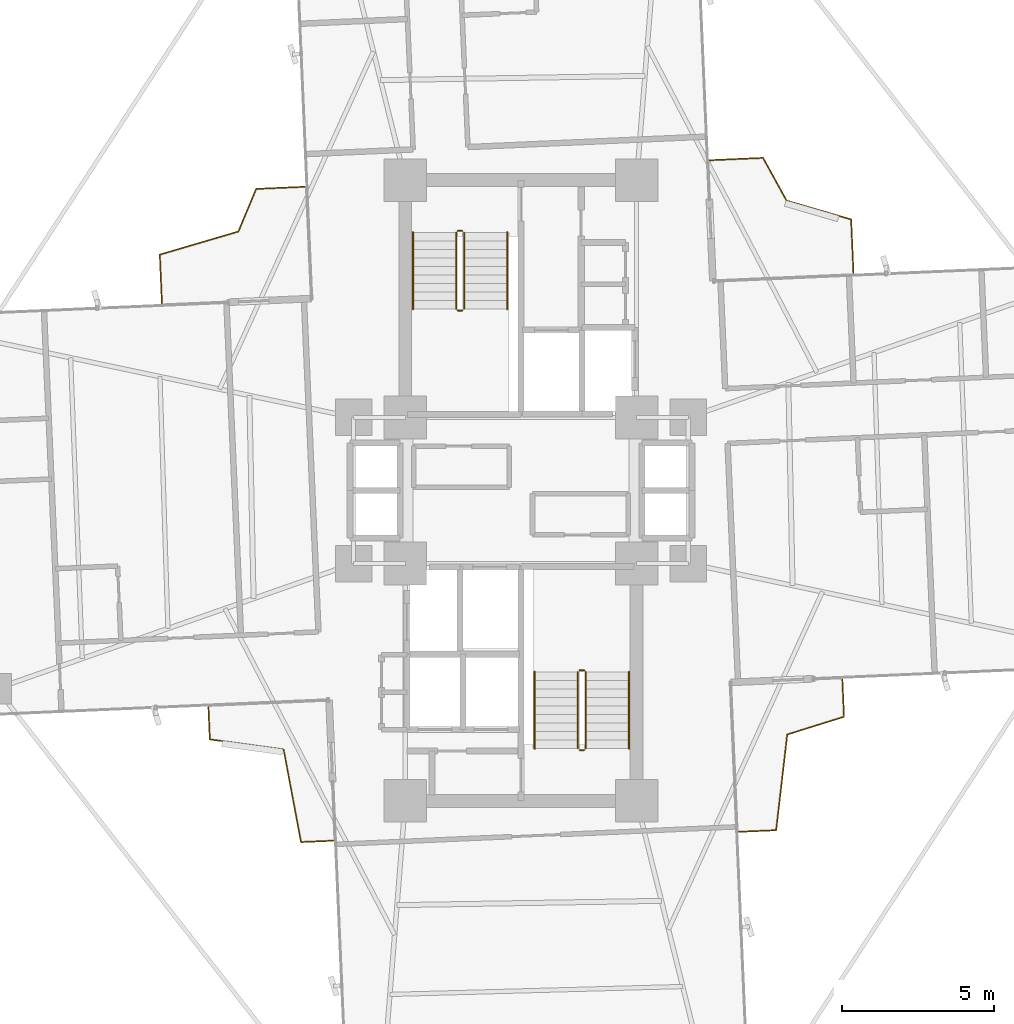
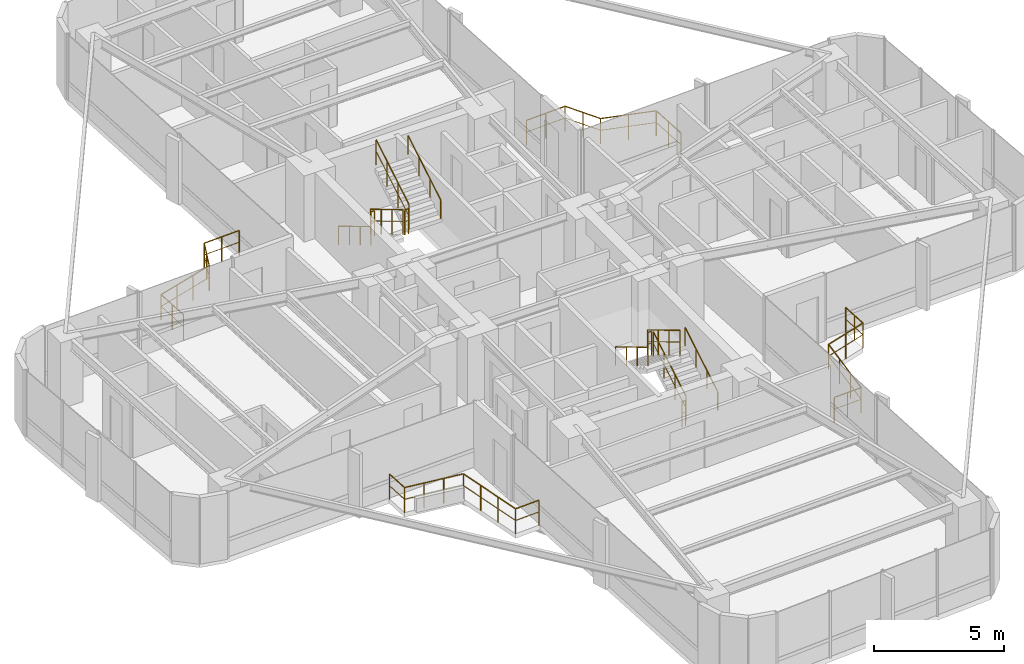
# One storey, part 26 of 26: 16 railings.
"""IFC4 building model written with IfcOpenShell, lengths in metres."""

from ifc_helpers import new_model, si_unit, direction, frame, origin, origin_2d, place, context, subcontext, project, spatial, circle, extrude, material, type_object, element, save


model = new_model("IFC4")

# Units and contexts
model_context = context("Model", 3, precision=1e-05, world=origin(), true_north=direction((0.0, 1.0)))
body_context = subcontext(model_context, "Body", "Model", "MODEL_VIEW")
ifc_project = project(units=[si_unit("LENGTHUNIT", "METRE"), si_unit("AREAUNIT", "SQUARE_METRE"), si_unit("VOLUMEUNIT", "CUBIC_METRE"), si_unit("PLANEANGLEUNIT", "RADIAN"), si_unit("MASSUNIT", "GRAM", prefix="KILO")], contexts=[model_context])

# Site, building, storey
site_placement = place(None, origin())
site = spatial("IfcSite", under=ifc_project, at=site_placement, CompositionType="ELEMENT")
building_placement = place(site_placement, origin())
building = spatial("IfcBuilding", under=site, at=building_placement, Name="Sahyath Konkavel Grand Hotel", CompositionType="ELEMENT")
storey_placement = place(building_placement, frame((0.0, 0.0, 131.550048828125)))
storey = spatial("IfcBuildingStorey", under=building, at=storey_placement, Name="L36", CompositionType="ELEMENT", Elevation=131.550048828125)

# Railings
ifc_material_1 = material(Name="Anodised Bronze Aluminium", Category="aluminium")
railing_type_1 = type_object("IfcRailingType", Name="RLG-BALC-1200", PredefinedType="GUARDRAIL", material=ifc_material_1)
railing_1_placement = place(storey_placement, frame((10.9267578125, 7.143310546875, 0.0)))
element("IfcRailing", 1, at=railing_1_placement, inside=storey, type_object=railing_type_1, Name="L36 Winter-Garden Guard NE", PredefinedType="GUARDRAIL", context=body_context, shape_type="SweptSolid", body=[
    extrude(circle(Radius=0.02392578125, at=origin_2d()), frame((0.0, 0.001953125, 1.17578125), z_axis=(-0.043545206746, 0.999051457618, 0.0), x_axis=(-0.999051457618, -0.043545206746, 0.0)), (0.0, 0.0, 1.0), 1.761962890625),
    extrude(circle(Radius=0.01416015625, at=origin_2d()), frame((0.0, 0.001953125, 0.6240234375), z_axis=(-0.043545206746, 0.999051457618, 0.0), x_axis=(-0.999051457618, -0.043545206746, 0.0)), (0.0, 0.0, 1.0), 1.761962890625),
    extrude(circle(Radius=0.02392578125, at=origin_2d()), frame((-0.078857421875, 1.764892578125, 1.17578125), z_axis=(-0.960059385382, 0.279796312591, 0.0), x_axis=(-0.279796312591, -0.960059385382, 0.0)), (0.0, 0.0, 1.0), 2.205322265625),
    extrude(circle(Radius=0.01416015625, at=origin_2d()), frame((-0.078857421875, 1.764892578125, 0.6240234375), z_axis=(-0.960059385382, 0.279796312591, 0.0), x_axis=(-0.279796312591, -0.960059385382, 0.0)), (0.0, 0.0, 1.0), 2.205322265625),
    extrude(circle(Radius=0.02392578125, at=origin_2d()), frame((-2.198974609375, 2.38427734375, 1.17578125), z_axis=(-0.481924600484, 0.87621269076, 0.0), x_axis=(-0.87621269076, -0.481924600484, 0.0)), (0.0, 0.0, 1.0), 1.597900390625),
    extrude(circle(Radius=0.01416015625, at=origin_2d()), frame((-2.198974609375, 2.38427734375, 0.6240234375), z_axis=(-0.481924600484, 0.87621269076, 0.0), x_axis=(-0.87621269076, -0.481924600484, 0.0)), (0.0, 0.0, 1.0), 1.597900390625),
    extrude(circle(Radius=0.02392578125, at=origin_2d()), frame((-2.971923828125, 3.7861328125, 1.17578125), z_axis=(-0.999045434202, -0.043683182124, 0.0), x_axis=(0.043683182124, -0.999045434202, 0.0)), (0.0, 0.0, 1.0), 1.76220703125),
    extrude(circle(Radius=0.01416015625, at=origin_2d()), frame((-2.971923828125, 3.7861328125, 0.6240234375), z_axis=(-0.999045434202, -0.043683182124, 0.0), x_axis=(0.043683182124, -0.999045434202, 0.0)), (0.0, 0.0, 1.0), 1.76220703125),
    extrude(circle(Radius=0.02099609375, at=origin_2d()), origin(), (0.0, 0.0, 1.0), 1.15185546875),
    extrude(circle(Radius=0.02099609375, at=origin_2d()), frame((-0.03857421875, 0.88232421875, 0.0)), (0.0, 0.0, 1.0), 1.15185546875),
    extrude(circle(Radius=0.02099609375, at=origin_2d()), frame((-0.076904296875, 1.764404296875, 0.0)), (0.0, 0.0, 1.0), 1.15185546875),
    extrude(circle(Radius=0.02099609375, at=origin_2d()), frame((-1.137451171875, 2.073486328125, 0.0)), (0.0, 0.0, 1.0), 1.15185546875),
    extrude(circle(Radius=0.02099609375, at=origin_2d()), frame((-2.197998046875, 2.382568359375, 0.0)), (0.0, 0.0, 1.0), 1.15185546875),
    extrude(circle(Radius=0.02099609375, at=origin_2d()), frame((-2.583984375, 3.08447265625, 0.0)), (0.0, 0.0, 1.0), 1.15185546875),
    extrude(circle(Radius=0.02099609375, at=origin_2d()), frame((-2.969970703125, 3.7861328125, 0.0)), (0.0, 0.0, 1.0), 1.15185546875),
    extrude(circle(Radius=0.02099609375, at=origin_2d()), frame((-3.85205078125, 3.74755859375, 0.0)), (0.0, 0.0, 1.0), 1.15185546875),
    extrude(circle(Radius=0.02099609375, at=origin_2d()), frame((-4.734375, 3.708984375, 0.0)), (0.0, 0.0, 1.0), 1.15185546875),
])
railing_2_placement = place(storey_placement, frame((-7.10205078125, 9.980712890625, 0.0)))
element("IfcRailing", 2, at=railing_2_placement, inside=storey, type_object=railing_type_1, Name="L36 Winter-Garden Guard NW", PredefinedType="GUARDRAIL", context=body_context, shape_type="SweptSolid", body=[
    extrude(circle(Radius=0.02392578125, at=origin_2d()), frame((-0.001953125, 0.0, 1.17578125), z_axis=(-0.999048663393, -0.043609267053, 0.0), x_axis=(0.043609267053, -0.999048663393, 0.0)), (0.0, 0.0, 1.0), 1.59716796875),
    extrude(circle(Radius=0.01416015625, at=origin_2d()), frame((-0.001953125, 0.0, 0.6240234375), z_axis=(-0.999048663393, -0.043609267053, 0.0), x_axis=(0.043609267053, -0.999048663393, 0.0)), (0.0, 0.0, 1.0), 1.59716796875),
    extrude(circle(Radius=0.02392578125, at=origin_2d()), frame((-1.600341796875, -0.07177734375, 1.17578125), z_axis=(-0.385597090299, -0.922667266111, 0.0), x_axis=(0.922667266111, -0.385597090299, 0.0)), (0.0, 0.0, 1.0), 1.514404296875),
    extrude(circle(Radius=0.01416015625, at=origin_2d()), frame((-1.600341796875, -0.07177734375, 0.6240234375), z_axis=(-0.385597090299, -0.922667266111, 0.0), x_axis=(0.922667266111, -0.385597090299, 0.0)), (0.0, 0.0, 1.0), 1.514404296875),
    extrude(circle(Radius=0.02392578125, at=origin_2d()), frame((-2.18701171875, -1.47119140625, 1.17578125), z_axis=(-0.959358277004, -0.28219088636, 0.0), x_axis=(0.28219088636, -0.959358277004, 0.0)), (0.0, 0.0, 1.0), 2.686767578125),
    extrude(circle(Radius=0.01416015625, at=origin_2d()), frame((-2.18701171875, -1.47119140625, 0.6240234375), z_axis=(-0.959358277004, -0.28219088636, 0.0), x_axis=(0.28219088636, -0.959358277004, 0.0)), (0.0, 0.0, 1.0), 2.686767578125),
    extrude(circle(Radius=0.02392578125, at=origin_2d()), frame((-4.766357421875, -2.23193359375, 1.17578125), z_axis=(0.043609267053, -0.999048663393, 0.0), x_axis=(0.999048663393, 0.043609267053, 0.0)), (0.0, 0.0, 1.0), 1.59716796875),
    extrude(circle(Radius=0.01416015625, at=origin_2d()), frame((-4.766357421875, -2.23193359375, 0.6240234375), z_axis=(0.043609267053, -0.999048663393, 0.0), x_axis=(0.999048663393, 0.043609267053, 0.0)), (0.0, 0.0, 1.0), 1.59716796875),
    extrude(circle(Radius=0.02099609375, at=origin_2d()), origin(), (0.0, 0.0, 1.0), 1.15185546875),
    extrude(circle(Radius=0.02099609375, at=origin_2d()), frame((-0.7998046875, -0.034912109375, 0.0)), (0.0, 0.0, 1.0), 1.15185546875),
    extrude(circle(Radius=0.02099609375, at=origin_2d()), frame((-1.599609375, -0.06982421875, 0.0)), (0.0, 0.0, 1.0), 1.15185546875),
    extrude(circle(Radius=0.02099609375, at=origin_2d()), frame((-1.892333984375, -0.770263671875, 0.0)), (0.0, 0.0, 1.0), 1.15185546875),
    extrude(circle(Radius=0.02099609375, at=origin_2d()), frame((-2.18505859375, -1.470703125, 0.0)), (0.0, 0.0, 1.0), 1.15185546875),
    extrude(circle(Radius=0.02099609375, at=origin_2d()), frame((-3.04541015625, -1.723876953125, 0.0)), (0.0, 0.0, 1.0), 1.15185546875),
    extrude(circle(Radius=0.02099609375, at=origin_2d()), frame((-3.906005859375, -1.976806640625, 0.0)), (0.0, 0.0, 1.0), 1.15185546875),
    extrude(circle(Radius=0.02099609375, at=origin_2d()), frame((-4.766357421875, -2.22998046875, 0.0)), (0.0, 0.0, 1.0), 1.15185546875),
    extrude(circle(Radius=0.02099609375, at=origin_2d()), frame((-4.7314453125, -3.02978515625, 0.0)), (0.0, 0.0, 1.0), 1.15185546875),
    extrude(circle(Radius=0.02099609375, at=origin_2d()), frame((-4.696533203125, -3.82958984375, 0.0)), (0.0, 0.0, 1.0), 1.15185546875),
])
railing_3_placement = place(storey_placement, frame((-10.271484375, -7.11474609375, 0.0)))
element("IfcRailing", 3, at=railing_3_placement, inside=storey, type_object=railing_type_1, Name="L36 Winter-Garden Guard SW", PredefinedType="GUARDRAIL", context=body_context, shape_type="SweptSolid", body=[
    extrude(circle(Radius=0.02392578125, at=origin_2d()), frame((0.0, -0.001953125, 1.17578125), z_axis=(0.043735329399, -0.999043152703, 0.0), x_axis=(0.999043152703, 0.043735329399, 0.0)), (0.0, 0.0, 1.0), 1.062255859375),
    extrude(circle(Radius=0.01416015625, at=origin_2d()), frame((0.0, -0.001953125, 0.6240234375), z_axis=(0.043735329399, -0.999043152703, 0.0), x_axis=(0.999043152703, 0.043735329399, 0.0)), (0.0, 0.0, 1.0), 1.062255859375),
    extrude(circle(Radius=0.02392578125, at=origin_2d()), frame((0.048583984375, -1.0654296875, 1.17578125), z_axis=(0.990741331019, -0.135763084124, 0.0), x_axis=(0.135763084124, 0.990741331019, 0.0)), (0.0, 0.0, 1.0), 2.443359375),
    extrude(circle(Radius=0.01416015625, at=origin_2d()), frame((0.048583984375, -1.0654296875, 0.6240234375), z_axis=(0.990741331019, -0.135763084124, 0.0), x_axis=(0.135763084124, 0.990741331019, 0.0)), (0.0, 0.0, 1.0), 2.443359375),
    extrude(circle(Radius=0.02392578125, at=origin_2d()), frame((2.471923828125, -1.3994140625, 1.17578125), z_axis=(0.184498081225, -0.982832873903, 0.0), x_axis=(0.982832873903, 0.184498081225, 0.0)), (0.0, 0.0, 1.0), 3.091064453125),
    extrude(circle(Radius=0.01416015625, at=origin_2d()), frame((2.471923828125, -1.3994140625, 0.6240234375), z_axis=(0.184498081225, -0.982832873903, 0.0), x_axis=(0.982832873903, 0.184498081225, 0.0)), (0.0, 0.0, 1.0), 3.091064453125),
    extrude(circle(Radius=0.02392578125, at=origin_2d()), frame((3.04443359375, -4.439453125, 1.17578125), z_axis=(0.999053131629, 0.043506783179, 0.0), x_axis=(-0.043506783179, 0.999053131629, 0.0)), (0.0, 0.0, 1.0), 1.062255859375),
    extrude(circle(Radius=0.01416015625, at=origin_2d()), frame((3.04443359375, -4.439453125, 0.6240234375), z_axis=(0.999053131629, 0.043506783179, 0.0), x_axis=(-0.043506783179, 0.999053131629, 0.0)), (0.0, 0.0, 1.0), 1.062255859375),
    extrude(circle(Radius=0.02099609375, at=origin_2d()), origin(), (0.0, 0.0, 1.0), 1.15185546875),
    extrude(circle(Radius=0.02099609375, at=origin_2d()), frame((0.046630859375, -1.065185546875, 0.0)), (0.0, 0.0, 1.0), 1.15185546875),
    extrude(circle(Radius=0.02099609375, at=origin_2d()), frame((0.85498046875, -1.176025390625, 0.0)), (0.0, 0.0, 1.0), 1.15185546875),
    extrude(circle(Radius=0.02099609375, at=origin_2d()), frame((1.6630859375, -1.28662109375, 0.0)), (0.0, 0.0, 1.0), 1.15185546875),
    extrude(circle(Radius=0.02099609375, at=origin_2d()), frame((2.471435546875, -1.3974609375, 0.0)), (0.0, 0.0, 1.0), 1.15185546875),
    extrude(circle(Radius=0.02099609375, at=origin_2d()), frame((2.661865234375, -2.411376953125, 0.0)), (0.0, 0.0, 1.0), 1.15185546875),
    extrude(circle(Radius=0.02099609375, at=origin_2d()), frame((2.85205078125, -3.425537109375, 0.0)), (0.0, 0.0, 1.0), 1.15185546875),
    extrude(circle(Radius=0.02099609375, at=origin_2d()), frame((3.04248046875, -4.439453125, 0.0)), (0.0, 0.0, 1.0), 1.15185546875),
    extrude(circle(Radius=0.02099609375, at=origin_2d()), frame((4.107666015625, -4.39306640625, 0.0)), (0.0, 0.0, 1.0), 1.15185546875),
])
railing_4_placement = place(storey_placement, frame((7.156005859375, -11.217529296875, 0.0)))
element("IfcRailing", 4, at=railing_4_placement, inside=storey, type_object=railing_type_1, Name="L36 Winter-Garden Guard SE", PredefinedType="GUARDRAIL", context=body_context, shape_type="SweptSolid", body=[
    extrude(circle(Radius=0.02392578125, at=origin_2d()), frame((0.001953125, 0.0, 1.17578125), z_axis=(0.999047908993, 0.043626546244, 0.0), x_axis=(-0.043626546244, 0.999047908993, 0.0)), (0.0, 0.0, 1.0), 1.22705078125),
    extrude(circle(Radius=0.01416015625, at=origin_2d()), frame((0.001953125, 0.0, 0.6240234375), z_axis=(0.999047908993, 0.043626546244, 0.0), x_axis=(-0.043626546244, 0.999047908993, 0.0)), (0.0, 0.0, 1.0), 1.22705078125),
    extrude(circle(Radius=0.02392578125, at=origin_2d()), frame((1.230224609375, 0.0556640625, 1.17578125), z_axis=(0.115355772629, 0.993324239975, 0.0), x_axis=(-0.993324239975, 0.115355772629, 0.0)), (0.0, 0.0, 1.0), 3.162109375),
    extrude(circle(Radius=0.01416015625, at=origin_2d()), frame((1.230224609375, 0.0556640625, 0.6240234375), z_axis=(0.115355772629, 0.993324239975, 0.0), x_axis=(-0.993324239975, 0.115355772629, 0.0)), (0.0, 0.0, 1.0), 3.162109375),
    extrude(circle(Radius=0.02392578125, at=origin_2d()), frame((1.59716796875, 3.19921875, 1.17578125), z_axis=(0.954310819176, 0.298815763312, 0.0), x_axis=(-0.298815763312, 0.954310819176, 0.0)), (0.0, 0.0, 1.0), 1.949462890625),
    extrude(circle(Radius=0.01416015625, at=origin_2d()), frame((1.59716796875, 3.19921875, 0.6240234375), z_axis=(0.954310819176, 0.298815763312, 0.0), x_axis=(-0.298815763312, 0.954310819176, 0.0)), (0.0, 0.0, 1.0), 1.949462890625),
    extrude(circle(Radius=0.02392578125, at=origin_2d()), frame((3.45947265625, 3.784423828125, 1.17578125), z_axis=(-0.043626546244, 0.999047908993, 0.0), x_axis=(-0.999047908993, -0.043626546244, 0.0)), (0.0, 0.0, 1.0), 1.22705078125),
    extrude(circle(Radius=0.01416015625, at=origin_2d()), frame((3.45947265625, 3.784423828125, 0.6240234375), z_axis=(-0.043626546244, 0.999047908993, 0.0), x_axis=(-0.999047908993, -0.043626546244, 0.0)), (0.0, 0.0, 1.0), 1.22705078125),
    extrude(circle(Radius=0.02099609375, at=origin_2d()), origin(), (0.0, 0.0, 1.0), 1.15185546875),
    extrude(circle(Radius=0.02099609375, at=origin_2d()), frame((0.614990234375, 0.02685546875, 0.0)), (0.0, 0.0, 1.0), 1.15185546875),
    extrude(circle(Radius=0.02099609375, at=origin_2d()), frame((1.22998046875, 0.0537109375, 0.0)), (0.0, 0.0, 1.0), 1.15185546875),
    extrude(circle(Radius=0.02099609375, at=origin_2d()), frame((1.351806640625, 1.10205078125, 0.0)), (0.0, 0.0, 1.0), 1.15185546875),
    extrude(circle(Radius=0.02099609375, at=origin_2d()), frame((1.473388671875, 2.150390625, 0.0)), (0.0, 0.0, 1.0), 1.15185546875),
    extrude(circle(Radius=0.02099609375, at=origin_2d()), frame((1.59521484375, 3.19873046875, 0.0)), (0.0, 0.0, 1.0), 1.15185546875),
    extrude(circle(Radius=0.02099609375, at=origin_2d()), frame((2.52734375, 3.49072265625, 0.0)), (0.0, 0.0, 1.0), 1.15185546875),
    extrude(circle(Radius=0.02099609375, at=origin_2d()), frame((3.45947265625, 3.782470703125, 0.0)), (0.0, 0.0, 1.0), 1.15185546875),
    extrude(circle(Radius=0.02099609375, at=origin_2d()), frame((3.4326171875, 4.3974609375, 0.0)), (0.0, 0.0, 1.0), 1.15185546875),
    extrude(circle(Radius=0.02099609375, at=origin_2d()), frame((3.40576171875, 5.012451171875, 0.0)), (0.0, 0.0, 1.0), 1.15185546875),
])
ifc_material_2 = material(Name="Steel E350", Category="steel")
railing_type_2 = type_object("IfcRailingType", Name="RLG-STAIR-GRD", PredefinedType="GUARDRAIL", material=ifc_material_2)
railing_5_placement = place(storey_placement, frame((-2.1298828125, 8.47998046875, 0.16748046875)))
element("IfcRailing", 5, at=railing_5_placement, inside=storey, type_object=railing_type_2, Name="L36 ST-1 stair guard 1", PredefinedType="GUARDRAIL", context=body_context, shape_type="SweptSolid", body=[
    extrude(circle(Radius=0.02392578125, at=origin_2d()), frame((0.0, -0.001708984375, 1.177001953125), z_axis=(0.0, -0.858159760407, 0.513382728203), x_axis=(1.0, 0.0, 0.0)), (0.0, 0.0, 1.0), 2.9326171875),
    extrude(circle(Radius=0.01416015625, at=origin_2d()), frame((0.0, -0.001708984375, 0.625), z_axis=(0.0, -0.858159760407, 0.513382728203), x_axis=(1.0, 0.0, 0.0)), (0.0, 0.0, 1.0), 2.9326171875),
    extrude(circle(Radius=0.02099609375, at=origin_2d()), origin(), (0.0, 0.0, 1.0), 1.15185546875),
    extrude(circle(Radius=0.02099609375, at=origin_2d()), frame((0.0, -0.840087890625, 0.50244140625)), (0.0, 0.0, 1.0), 1.15185546875),
    extrude(circle(Radius=0.02099609375, at=origin_2d()), frame((0.0, -1.679931640625, 1.005126953125)), (0.0, 0.0, 1.0), 1.15185546875),
    extrude(circle(Radius=0.02099609375, at=origin_2d()), frame((0.0, -2.52001953125, 1.507568359375)), (0.0, 0.0, 1.0), 1.15185546875),
])
railing_6_placement = place(storey_placement, frame((-2.080078125, 5.909912109375, 1.675048828125)))
element("IfcRailing", 6, at=railing_6_placement, inside=storey, type_object=railing_type_2, Name="L36 ST-1 stair guard 2", PredefinedType="GUARDRAIL", context=body_context, shape_type="SweptSolid", body=[
    extrude(circle(Radius=0.02392578125, at=origin_2d()), frame((0.001953125, 0.0, 1.17578125), z_axis=(1.0, 0.0, 0.0), x_axis=(0.0, 1.0, 0.0)), (0.0, 0.0, 1.0), 0.15625),
    extrude(circle(Radius=0.01416015625, at=origin_2d()), frame((0.001953125, 0.0, 0.6240234375), z_axis=(1.0, 0.0, 0.0), x_axis=(0.0, 1.0, 0.0)), (0.0, 0.0, 1.0), 0.15625),
    extrude(circle(Radius=0.02099609375, at=origin_2d()), origin(), (0.0, 0.0, 1.0), 1.15185546875),
    extrude(circle(Radius=0.02099609375, at=origin_2d()), frame((0.16015625, 0.0, 0.0)), (0.0, 0.0, 1.0), 1.15185546875),
])
railing_7_placement = place(storey_placement, frame((-1.8701171875, 5.9599609375, 1.842529296875)))
element("IfcRailing", 7, at=railing_7_placement, inside=storey, type_object=railing_type_2, Name="L36 ST-1 stair guard 3", PredefinedType="GUARDRAIL", context=body_context, shape_type="SweptSolid", body=[
    extrude(circle(Radius=0.02392578125, at=origin_2d()), frame((0.0, 0.001708984375, 1.177001953125), z_axis=(0.0, 0.858196387827, 0.513321497621), x_axis=(-1.0, 0.0, 0.0)), (0.0, 0.0, 1.0), 2.932373046875),
    extrude(circle(Radius=0.01416015625, at=origin_2d()), frame((0.0, 0.001708984375, 0.625), z_axis=(0.0, 0.858196387827, 0.513321497621), x_axis=(-1.0, 0.0, 0.0)), (0.0, 0.0, 1.0), 2.932373046875),
    extrude(circle(Radius=0.02099609375, at=origin_2d()), origin(), (0.0, 0.0, 1.0), 1.15185546875),
    extrude(circle(Radius=0.02099609375, at=origin_2d()), frame((0.0, 0.840087890625, 0.50244140625)), (0.0, 0.0, 1.0), 1.15185546875),
    extrude(circle(Radius=0.02099609375, at=origin_2d()), frame((0.0, 1.679931640625, 1.0048828125)), (0.0, 0.0, 1.0), 1.15185546875),
    extrude(circle(Radius=0.02099609375, at=origin_2d()), frame((0.0, 2.52001953125, 1.50732421875)), (0.0, 0.0, 1.0), 1.15185546875),
])
railing_8_placement = place(storey_placement, frame((-2.080078125, 8.530029296875, 0.0)))
element("IfcRailing", 8, at=railing_8_placement, inside=storey, type_object=railing_type_2, Name="L36 ST-1 stair guard 4", PredefinedType="GUARDRAIL", context=body_context, shape_type="SweptSolid", body=[
    extrude(circle(Radius=0.02392578125, at=origin_2d()), frame((0.001953125, 0.0, 1.17578125), z_axis=(1.0, 0.0, 0.0), x_axis=(0.0, 1.0, 0.0)), (0.0, 0.0, 1.0), 0.15625),
    extrude(circle(Radius=0.01416015625, at=origin_2d()), frame((0.001953125, 0.0, 0.6240234375), z_axis=(1.0, 0.0, 0.0), x_axis=(0.0, 1.0, 0.0)), (0.0, 0.0, 1.0), 0.15625),
    extrude(circle(Radius=0.02099609375, at=origin_2d()), origin(), (0.0, 0.0, 1.0), 1.15185546875),
    extrude(circle(Radius=0.02099609375, at=origin_2d()), frame((0.16015625, 0.0, 0.0)), (0.0, 0.0, 1.0), 1.15185546875),
])
railing_9_placement = place(storey_placement, frame((2.1298828125, -8.47998046875, 0.16748046875)))
element("IfcRailing", 9, at=railing_9_placement, inside=storey, type_object=railing_type_2, Name="L36 ST-2 stair guard 1", PredefinedType="GUARDRAIL", context=body_context, shape_type="SweptSolid", body=[
    extrude(circle(Radius=0.02392578125, at=origin_2d()), frame((0.0, 0.001708984375, 1.177001953125), z_axis=(0.0, 0.858159760407, 0.513382728203), x_axis=(-1.0, 0.0, 0.0)), (0.0, 0.0, 1.0), 2.9326171875),
    extrude(circle(Radius=0.01416015625, at=origin_2d()), frame((0.0, 0.001708984375, 0.625), z_axis=(0.0, 0.858159760407, 0.513382728203), x_axis=(-1.0, 0.0, 0.0)), (0.0, 0.0, 1.0), 2.9326171875),
    extrude(circle(Radius=0.02099609375, at=origin_2d()), origin(), (0.0, 0.0, 1.0), 1.15185546875),
    extrude(circle(Radius=0.02099609375, at=origin_2d()), frame((0.0, 0.840087890625, 0.50244140625)), (0.0, 0.0, 1.0), 1.15185546875),
    extrude(circle(Radius=0.02099609375, at=origin_2d()), frame((0.0, 1.679931640625, 1.005126953125)), (0.0, 0.0, 1.0), 1.15185546875),
    extrude(circle(Radius=0.02099609375, at=origin_2d()), frame((0.0, 2.52001953125, 1.507568359375)), (0.0, 0.0, 1.0), 1.15185546875),
])
railing_10_placement = place(storey_placement, frame((2.080078125, -5.909912109375, 1.675048828125)))
element("IfcRailing", 10, at=railing_10_placement, inside=storey, type_object=railing_type_2, Name="L36 ST-2 stair guard 2", PredefinedType="GUARDRAIL", context=body_context, shape_type="SweptSolid", body=[
    extrude(circle(Radius=0.02392578125, at=origin_2d()), frame((-0.001953125, 0.0, 1.17578125), z_axis=(-1.0, 0.0, 0.0), x_axis=(0.0, -1.0, 0.0)), (0.0, 0.0, 1.0), 0.15625),
    extrude(circle(Radius=0.01416015625, at=origin_2d()), frame((-0.001953125, 0.0, 0.6240234375), z_axis=(-1.0, 0.0, 0.0), x_axis=(0.0, -1.0, 0.0)), (0.0, 0.0, 1.0), 0.15625),
    extrude(circle(Radius=0.02099609375, at=origin_2d()), origin(), (0.0, 0.0, 1.0), 1.15185546875),
    extrude(circle(Radius=0.02099609375, at=origin_2d()), frame((-0.16015625, 0.0, 0.0)), (0.0, 0.0, 1.0), 1.15185546875),
])
railing_11_placement = place(storey_placement, frame((1.8701171875, -5.9599609375, 1.842529296875)))
element("IfcRailing", 11, at=railing_11_placement, inside=storey, type_object=railing_type_2, Name="L36 ST-2 stair guard 3", PredefinedType="GUARDRAIL", context=body_context, shape_type="SweptSolid", body=[
    extrude(circle(Radius=0.02392578125, at=origin_2d()), frame((0.0, -0.001708984375, 1.177001953125), z_axis=(0.0, -0.858196387827, 0.513321497621), x_axis=(1.0, 0.0, 0.0)), (0.0, 0.0, 1.0), 2.932373046875),
    extrude(circle(Radius=0.01416015625, at=origin_2d()), frame((0.0, -0.001708984375, 0.625), z_axis=(0.0, -0.858196387827, 0.513321497621), x_axis=(1.0, 0.0, 0.0)), (0.0, 0.0, 1.0), 2.932373046875),
    extrude(circle(Radius=0.02099609375, at=origin_2d()), origin(), (0.0, 0.0, 1.0), 1.15185546875),
    extrude(circle(Radius=0.02099609375, at=origin_2d()), frame((0.0, -0.840087890625, 0.50244140625)), (0.0, 0.0, 1.0), 1.15185546875),
    extrude(circle(Radius=0.02099609375, at=origin_2d()), frame((0.0, -1.679931640625, 1.0048828125)), (0.0, 0.0, 1.0), 1.15185546875),
    extrude(circle(Radius=0.02099609375, at=origin_2d()), frame((0.0, -2.52001953125, 1.50732421875)), (0.0, 0.0, 1.0), 1.15185546875),
])
railing_12_placement = place(storey_placement, frame((2.080078125, -8.530029296875, 0.0)))
element("IfcRailing", 12, at=railing_12_placement, inside=storey, type_object=railing_type_2, Name="L36 ST-2 stair guard 4", PredefinedType="GUARDRAIL", context=body_context, shape_type="SweptSolid", body=[
    extrude(circle(Radius=0.02392578125, at=origin_2d()), frame((-0.001953125, 0.0, 1.17578125), z_axis=(-1.0, 0.0, 0.0), x_axis=(0.0, -1.0, 0.0)), (0.0, 0.0, 1.0), 0.15625),
    extrude(circle(Radius=0.01416015625, at=origin_2d()), frame((-0.001953125, 0.0, 0.6240234375), z_axis=(-1.0, 0.0, 0.0), x_axis=(0.0, -1.0, 0.0)), (0.0, 0.0, 1.0), 0.15625),
    extrude(circle(Radius=0.02099609375, at=origin_2d()), origin(), (0.0, 0.0, 1.0), 1.15185546875),
    extrude(circle(Radius=0.02099609375, at=origin_2d()), frame((-0.16015625, 0.0, 0.0)), (0.0, 0.0, 1.0), 1.15185546875),
])
railing_type_3 = type_object("IfcRailingType", Name="RLG-STAIR-HND", PredefinedType="HANDRAIL", material=ifc_material_1)
railing_13_placement = place(storey_placement, frame((-3.550048828125, 8.47998046875, 0.16748046875)))
element("IfcRailing", 13, at=railing_13_placement, inside=storey, type_object=railing_type_3, Name="L36 ST-1 stair handrail 1", PredefinedType="HANDRAIL", context=body_context, shape_type="SweptSolid", body=[
    extrude(circle(Radius=0.02392578125, at=origin_2d()), frame((0.0, -0.001708984375, 0.876953125), z_axis=(0.0, -0.858159760407, 0.513382728203), x_axis=(1.0, 0.0, 0.0)), (0.0, 0.0, 1.0), 2.9326171875),
    extrude(circle(Radius=0.02099609375, at=origin_2d()), origin(), (0.0, 0.0, 1.0), 0.851806640625),
    extrude(circle(Radius=0.02099609375, at=origin_2d()), frame((0.0, -0.840087890625, 0.50244140625)), (0.0, 0.0, 1.0), 0.851806640625),
    extrude(circle(Radius=0.02099609375, at=origin_2d()), frame((0.0, -1.679931640625, 1.005126953125)), (0.0, 0.0, 1.0), 0.851806640625),
    extrude(circle(Radius=0.02099609375, at=origin_2d()), frame((0.0, -2.52001953125, 1.507568359375)), (0.0, 0.0, 1.0), 0.851806640625),
])
railing_14_placement = place(storey_placement, frame((-0.449951171875, 5.9599609375, 1.842529296875)))
element("IfcRailing", 14, at=railing_14_placement, inside=storey, type_object=railing_type_3, Name="L36 ST-1 stair handrail 2", PredefinedType="HANDRAIL", context=body_context, shape_type="SweptSolid", body=[
    extrude(circle(Radius=0.02392578125, at=origin_2d()), frame((0.0, 0.001708984375, 0.876953125), z_axis=(0.0, 0.858196387827, 0.513321497621), x_axis=(-1.0, 0.0, 0.0)), (0.0, 0.0, 1.0), 2.932373046875),
    extrude(circle(Radius=0.02099609375, at=origin_2d()), origin(), (0.0, 0.0, 1.0), 0.851806640625),
    extrude(circle(Radius=0.02099609375, at=origin_2d()), frame((0.0, 0.840087890625, 0.50244140625)), (0.0, 0.0, 1.0), 0.851806640625),
    extrude(circle(Radius=0.02099609375, at=origin_2d()), frame((0.0, 1.679931640625, 1.0048828125)), (0.0, 0.0, 1.0), 0.851806640625),
    extrude(circle(Radius=0.02099609375, at=origin_2d()), frame((0.0, 2.52001953125, 1.50732421875)), (0.0, 0.0, 1.0), 0.851806640625),
])
railing_15_placement = place(storey_placement, frame((3.550048828125, -8.47998046875, 0.16748046875)))
element("IfcRailing", 15, at=railing_15_placement, inside=storey, type_object=railing_type_3, Name="L36 ST-2 stair handrail 1", PredefinedType="HANDRAIL", context=body_context, shape_type="SweptSolid", body=[
    extrude(circle(Radius=0.02392578125, at=origin_2d()), frame((0.0, 0.001708984375, 0.876953125), z_axis=(0.0, 0.858159760407, 0.513382728203), x_axis=(-1.0, 0.0, 0.0)), (0.0, 0.0, 1.0), 2.9326171875),
    extrude(circle(Radius=0.02099609375, at=origin_2d()), origin(), (0.0, 0.0, 1.0), 0.851806640625),
    extrude(circle(Radius=0.02099609375, at=origin_2d()), frame((0.0, 0.840087890625, 0.50244140625)), (0.0, 0.0, 1.0), 0.851806640625),
    extrude(circle(Radius=0.02099609375, at=origin_2d()), frame((0.0, 1.679931640625, 1.005126953125)), (0.0, 0.0, 1.0), 0.851806640625),
    extrude(circle(Radius=0.02099609375, at=origin_2d()), frame((0.0, 2.52001953125, 1.507568359375)), (0.0, 0.0, 1.0), 0.851806640625),
])
railing_16_placement = place(storey_placement, frame((0.449951171875, -5.9599609375, 1.842529296875)))
element("IfcRailing", 16, at=railing_16_placement, inside=storey, type_object=railing_type_3, Name="L36 ST-2 stair handrail 2", PredefinedType="HANDRAIL", context=body_context, shape_type="SweptSolid", body=[
    extrude(circle(Radius=0.02392578125, at=origin_2d()), frame((0.0, -0.001708984375, 0.876953125), z_axis=(0.0, -0.858196387827, 0.513321497621), x_axis=(1.0, 0.0, 0.0)), (0.0, 0.0, 1.0), 2.932373046875),
    extrude(circle(Radius=0.02099609375, at=origin_2d()), origin(), (0.0, 0.0, 1.0), 0.851806640625),
    extrude(circle(Radius=0.02099609375, at=origin_2d()), frame((0.0, -0.840087890625, 0.50244140625)), (0.0, 0.0, 1.0), 0.851806640625),
    extrude(circle(Radius=0.02099609375, at=origin_2d()), frame((0.0, -1.679931640625, 1.0048828125)), (0.0, 0.0, 1.0), 0.851806640625),
    extrude(circle(Radius=0.02099609375, at=origin_2d()), frame((0.0, -2.52001953125, 1.50732421875)), (0.0, 0.0, 1.0), 0.851806640625),
])

save(model, "model.ifc")
